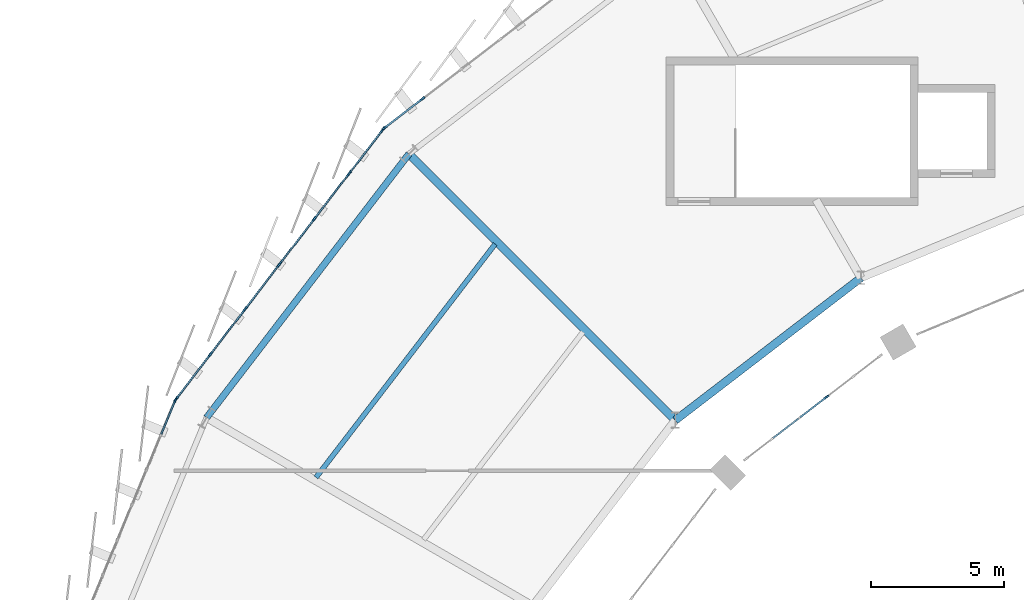
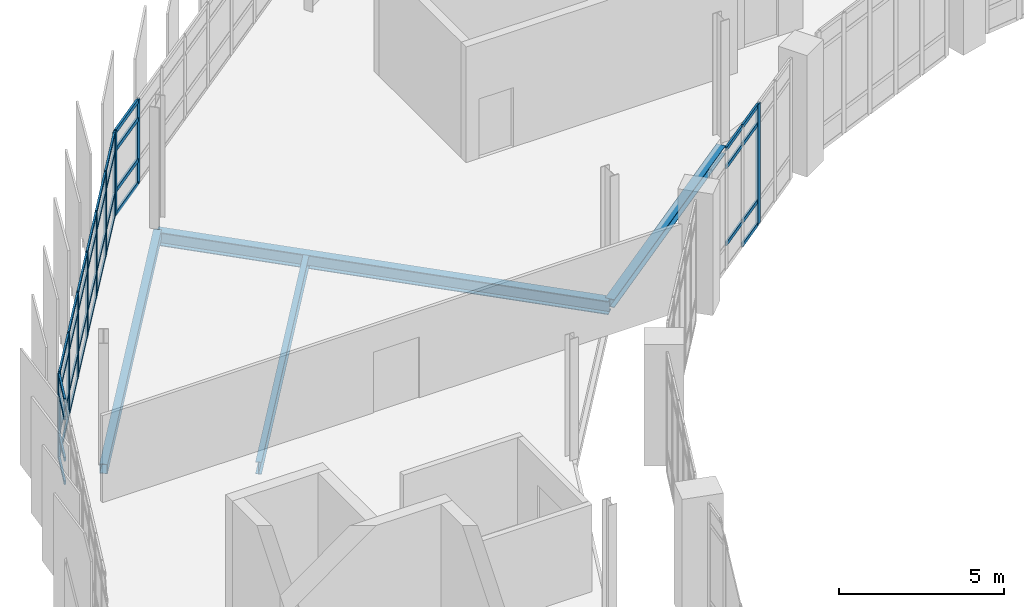
# One storey, part 32 of 67: 50 members, 4 beams, 4 elements without a shape of their own.
"""IFC4 building model written with IfcOpenShell, lengths in metres."""

from ifc_helpers import new_model, si_unit, direction, frame, origin, origin_2d, place, context, subcontext, project, spatial, rectangle, hollow_rectangle, i_section, extrude, material, layer, layer_set, material_profile, profile_set, type_object, element, aggregate, save


model = new_model("IFC4")

# Units and contexts
model_context = context("Model", 3, precision=1e-05, world=origin(), true_north=direction((0.0, 1.0)))
body_context = subcontext(model_context, "Body", "Model", "MODEL_VIEW")
ifc_project = project(units=[si_unit("LENGTHUNIT", "METRE"), si_unit("AREAUNIT", "SQUARE_METRE"), si_unit("VOLUMEUNIT", "CUBIC_METRE"), si_unit("PLANEANGLEUNIT", "RADIAN"), si_unit("MASSUNIT", "GRAM", prefix="KILO")], contexts=[model_context])

# Site, building, storey
site_placement = place(None, origin())
site = spatial("IfcSite", under=ifc_project, at=site_placement, CompositionType="ELEMENT")
building_placement = place(site_placement, origin())
building = spatial("IfcBuilding", under=site, at=building_placement, Name="Sohan Crest Arena", CompositionType="ELEMENT")
storey_placement = place(building_placement, frame((0.0, 0.0, 22.5)))
storey = spatial("IfcBuildingStorey", under=building, at=storey_placement, Name="L05", CompositionType="ELEMENT", Elevation=22.5)

# Curtain wall, member
ifc_material_1 = material(Name="Thermally broken anodised aluminium", Category="aluminium")
ifc_layer_1 = layer(ifc_material_1, 0.18994140625, Name="Thermally broken anodised aluminium")
ifc_layer_set_1 = layer_set([ifc_layer_1], Name="Thermally broken anodised aluminium")
curtain_wall_type_1 = type_object("IfcCurtainWallType", Name="ARC-CW05", PredefinedType="NOTDEFINED", material=ifc_layer_set_1)
curtain_wall_1_placement = place(storey_placement, origin())
curtain_wall_1 = element("IfcCurtainWall", 1, at=curtain_wall_1_placement, inside=storey, type_object=curtain_wall_type_1, Name="Unitised curtain wall CW-150", PredefinedType="NOTDEFINED")
ifc_material_profile_1 = material_profile(ifc_material_1, rectangle(XDim=0.06005859375, YDim=0.159912109375, at=origin_2d()), Name="ALU-MULL 60x160")
ifc_profile_set_1 = profile_set([ifc_material_profile_1], Name="Thermally broken anodised aluminium")
member_type_1 = type_object("IfcMemberType", Name="ARC-CW-ML01", PredefinedType="MULLION", material=ifc_profile_set_1)
member_1_placement = place(storey_placement, frame((55.25048828125, 102.647216796875, 0.0), z_axis=(0.0, 0.0, 1.0), x_axis=(0.923878704229, -0.382685432009, 0.0)))
member_1 = element("IfcMember", 2, at=member_1_placement, type_object=member_type_1, Name="CW-150 mullion 1", PredefinedType="MULLION", context=body_context, shape_type="SweptSolid", body=[
    extrude(rectangle(XDim=0.06005859375, YDim=0.159912109375, at=origin_2d()), origin(), (0.0, 0.0, 1.0), 3.1201171875),
])

# Curtain wall, members
ifc_layer_2 = layer(ifc_material_1, 0.219970703125, Name="Thermally broken anodised aluminium")
ifc_layer_set_2 = layer_set([ifc_layer_2], Name="Thermally broken anodised aluminium")
curtain_wall_type_2 = type_object("IfcCurtainWallType", Name="ARC-CW03", PredefinedType="NOTDEFINED", material=ifc_layer_set_2)
curtain_wall_2_placement = place(storey_placement, origin())
curtain_wall_2 = element("IfcCurtainWall", 3, at=curtain_wall_2_placement, inside=storey, type_object=curtain_wall_type_2, Name="Unitised curtain wall CW-148", PredefinedType="NOTDEFINED")
ifc_material_profile_2 = material_profile(ifc_material_1, rectangle(XDim=0.070068359375, YDim=0.199951171875, at=origin_2d()), Name="ALU-MULL 70x200")
ifc_profile_set_2 = profile_set([ifc_material_profile_2], Name="Thermally broken anodised aluminium")
member_type_2 = type_object("IfcMemberType", Name="ARC-CW-ML03", PredefinedType="MULLION", material=ifc_profile_set_2)
member_2_placement = place(storey_placement, frame((64.564208984375, 114.016357421875, 0.0), z_axis=(0.0, 0.0, 1.0), x_axis=(0.60871994181, -0.793385172815, 0.0)))
member_2 = element("IfcMember", 4, at=member_2_placement, type_object=member_type_2, Name="CW-148 mullion 7", PredefinedType="MULLION", context=body_context, shape_type="SweptSolid", body=[
    extrude(rectangle(XDim=0.070068359375, YDim=0.199951171875, at=origin_2d()), origin(), (0.0, 0.0, 1.0), 3.1201171875),
])
member_3_placement = place(storey_placement, frame((63.1318359375, 112.917236328125, 0.0), z_axis=(0.0, 0.0, 1.0), x_axis=(0.60871994181, -0.793385172815, 0.0)))
member_3 = element("IfcMember", 5, at=member_3_placement, type_object=member_type_2, Name="CW-148 mullion 8", PredefinedType="MULLION", context=body_context, shape_type="SweptSolid", body=[
    extrude(rectangle(XDim=0.070068359375, YDim=0.199951171875, at=origin_2d()), origin(), (0.0, 0.0, 1.0), 3.1201171875),
])

# Curtain wall, member
curtain_wall_3_placement = place(storey_placement, origin())
curtain_wall_3 = element("IfcCurtainWall", 6, at=curtain_wall_3_placement, inside=storey, type_object=curtain_wall_type_1, Name="Unitised curtain wall CW-168", PredefinedType="NOTDEFINED")
member_4_placement = place(storey_placement, frame((79.8017578125, 102.7763671875, 0.0), z_axis=(0.0, 0.0, 1.0), x_axis=(0.608939000248, -0.793217053508, 0.0)))
member_4 = element("IfcMember", 7, at=member_4_placement, type_object=member_type_2, Name="CW-168 mullion 3", PredefinedType="MULLION", context=body_context, shape_type="SweptSolid", body=[
    extrude(rectangle(XDim=0.070068359375, YDim=0.199951171875, at=origin_2d()), origin(), (0.0, 0.0, 1.0), 4.449951171875),
])

# Curtain wall, members
ifc_layer_3 = layer(ifc_material_1, 0.239990234375, Name="Thermally broken anodised aluminium")
ifc_layer_set_3 = layer_set([ifc_layer_3], Name="Thermally broken anodised aluminium")
curtain_wall_type_3 = type_object("IfcCurtainWallType", Name="ARC-CW04", PredefinedType="NOTDEFINED", material=ifc_layer_set_3)
curtain_wall_4_placement = place(storey_placement, origin())
curtain_wall_4 = element("IfcCurtainWall", 8, at=curtain_wall_4_placement, inside=storey, type_object=curtain_wall_type_3, Name="Unitised curtain wall CW-149", PredefinedType="NOTDEFINED")
ifc_material_profile_3 = material_profile(ifc_material_1, rectangle(XDim=0.074951171875, YDim=0.219970703125, at=origin_2d()), Name="ALU-MULL 75x220")
ifc_profile_set_3 = profile_set([ifc_material_profile_3], Name="Thermally broken anodised aluminium")
member_type_3 = type_object("IfcMemberType", Name="ARC-CW-ML04", PredefinedType="MULLION", material=ifc_profile_set_3)
member_5_placement = place(storey_placement, frame((63.0810546875, 112.8662109375, 0.0), z_axis=(0.0, 0.0, 1.0), x_axis=(0.793385172815, -0.60871994181, 0.0)))
member_5 = element("IfcMember", 9, at=member_5_placement, type_object=member_type_3, Name="CW-149 mullion 1", PredefinedType="MULLION", context=body_context, shape_type="SweptSolid", body=[
    extrude(rectangle(XDim=0.074951171875, YDim=0.219970703125, at=origin_2d()), origin(), (0.0, 0.0, 1.0), 3.1201171875),
])
member_6_placement = place(storey_placement, frame((61.797119140625, 111.1923828125, 0.0), z_axis=(0.0, 0.0, 1.0), x_axis=(0.793385172815, -0.60871994181, 0.0)))
member_6 = element("IfcMember", 10, at=member_6_placement, type_object=member_type_3, Name="CW-149 mullion 2", PredefinedType="MULLION", context=body_context, shape_type="SweptSolid", body=[
    extrude(rectangle(XDim=0.074951171875, YDim=0.219970703125, at=origin_2d()), origin(), (0.0, 0.0, 1.0), 3.1201171875),
])
member_7_placement = place(storey_placement, frame((60.489990234375, 109.489013671875, 0.0), z_axis=(0.0, 0.0, 1.0), x_axis=(0.793385172815, -0.60871994181, 0.0)))
member_7 = element("IfcMember", 11, at=member_7_placement, type_object=member_type_3, Name="CW-149 mullion 3", PredefinedType="MULLION", context=body_context, shape_type="SweptSolid", body=[
    extrude(rectangle(XDim=0.074951171875, YDim=0.219970703125, at=origin_2d()), origin(), (0.0, 0.0, 1.0), 3.1201171875),
])
member_8_placement = place(storey_placement, frame((59.18310546875, 107.785400390625, 0.0), z_axis=(0.0, 0.0, 1.0), x_axis=(0.793385172815, -0.60871994181, 0.0)))
member_8 = element("IfcMember", 12, at=member_8_placement, type_object=member_type_3, Name="CW-149 mullion 4", PredefinedType="MULLION", context=body_context, shape_type="SweptSolid", body=[
    extrude(rectangle(XDim=0.074951171875, YDim=0.219970703125, at=origin_2d()), origin(), (0.0, 0.0, 1.0), 3.1201171875),
])
member_9_placement = place(storey_placement, frame((57.8759765625, 106.08203125, 0.0), z_axis=(0.0, 0.0, 1.0), x_axis=(0.793385172815, -0.60871994181, 0.0)))
member_9 = element("IfcMember", 13, at=member_9_placement, type_object=member_type_3, Name="CW-149 mullion 5", PredefinedType="MULLION", context=body_context, shape_type="SweptSolid", body=[
    extrude(rectangle(XDim=0.074951171875, YDim=0.219970703125, at=origin_2d()), origin(), (0.0, 0.0, 1.0), 3.1201171875),
])
member_10_placement = place(storey_placement, frame((56.569091796875, 104.37841796875, 0.0), z_axis=(0.0, 0.0, 1.0), x_axis=(0.793385172815, -0.60871994181, 0.0)))
member_10 = element("IfcMember", 14, at=member_10_placement, type_object=member_type_3, Name="CW-149 mullion 6", PredefinedType="MULLION", context=body_context, shape_type="SweptSolid", body=[
    extrude(rectangle(XDim=0.074951171875, YDim=0.219970703125, at=origin_2d()), origin(), (0.0, 0.0, 1.0), 3.1201171875),
])
member_11_placement = place(storey_placement, frame((55.284912109375, 102.704833984375, 0.0), z_axis=(0.0, 0.0, 1.0), x_axis=(0.793385172815, -0.60871994181, 0.0)))
member_11 = element("IfcMember", 15, at=member_11_placement, type_object=member_type_3, Name="CW-149 mullion 7", PredefinedType="MULLION", context=body_context, shape_type="SweptSolid", body=[
    extrude(rectangle(XDim=0.074951171875, YDim=0.219970703125, at=origin_2d()), origin(), (0.0, 0.0, 1.0), 3.1201171875),
])
ifc_material_profile_4 = material_profile(ifc_material_1, rectangle(XDim=0.06005859375, YDim=0.1201171875, at=origin_2d()), Name="ALU-TRAN 60x120")
ifc_profile_set_4 = profile_set([ifc_material_profile_4], Name="Thermally broken anodised aluminium")
member_type_4 = type_object("IfcMemberType", Name="ARC-CW-TR01", PredefinedType="USERDEFINED", material=ifc_profile_set_4)
member_12_placement = place(storey_placement, frame((63.058349609375, 112.83642578125, 0.030029296875), z_axis=(-0.60871867817, -0.793386142334, 0.0), x_axis=(0.793386142334, -0.60871867817, 0.0)))
member_12 = element("IfcMember", 16, at=member_12_placement, type_object=member_type_4, Name="CW-149 transom 1.1", ObjectType="TRANSOM", PredefinedType="USERDEFINED", context=body_context, shape_type="SweptSolid", body=[
    extrude(rectangle(XDim=0.06005859375, YDim=0.1201171875, at=origin_2d()), origin(), (0.0, 0.0, 1.0), 2.03466796875),
])
member_13_placement = place(storey_placement, frame((63.058349609375, 112.83642578125, 0.89990234375), z_axis=(-0.60871867817, -0.793386142334, 0.0), x_axis=(0.793386142334, -0.60871867817, 0.0)))
member_13 = element("IfcMember", 17, at=member_13_placement, type_object=member_type_4, Name="CW-149 transom 1.2", ObjectType="TRANSOM", PredefinedType="USERDEFINED", context=body_context, shape_type="SweptSolid", body=[
    extrude(rectangle(XDim=0.06005859375, YDim=0.1201171875, at=origin_2d()), origin(), (0.0, 0.0, 1.0), 2.03466796875),
])
member_14_placement = place(storey_placement, frame((63.058349609375, 112.83642578125, 2.419921875), z_axis=(-0.60871867817, -0.793386142334, 0.0), x_axis=(0.793386142334, -0.60871867817, 0.0)))
member_14 = element("IfcMember", 18, at=member_14_placement, type_object=member_type_4, Name="CW-149 transom 1.3", ObjectType="TRANSOM", PredefinedType="USERDEFINED", context=body_context, shape_type="SweptSolid", body=[
    extrude(rectangle(XDim=0.06005859375, YDim=0.1201171875, at=origin_2d()), origin(), (0.0, 0.0, 1.0), 2.03466796875),
])
member_15_placement = place(storey_placement, frame((63.058349609375, 112.83642578125, 3.090087890625), z_axis=(-0.60871867817, -0.793386142334, 0.0), x_axis=(0.793386142334, -0.60871867817, 0.0)))
member_15 = element("IfcMember", 19, at=member_15_placement, type_object=member_type_4, Name="CW-149 transom 1.4", ObjectType="TRANSOM", PredefinedType="USERDEFINED", context=body_context, shape_type="SweptSolid", body=[
    extrude(rectangle(XDim=0.06005859375, YDim=0.1201171875, at=origin_2d()), origin(), (0.0, 0.0, 1.0), 2.03466796875),
])
member_16_placement = place(storey_placement, frame((61.774169921875, 111.162841796875, 0.030029296875), z_axis=(-0.608673922407, -0.793420478802, 0.0), x_axis=(0.793420478802, -0.608673922407, 0.0)))
member_16 = element("IfcMember", 20, at=member_16_placement, type_object=member_type_4, Name="CW-149 transom 2.1", ObjectType="TRANSOM", PredefinedType="USERDEFINED", context=body_context, shape_type="SweptSolid", body=[
    extrude(rectangle(XDim=0.06005859375, YDim=0.1201171875, at=origin_2d()), origin(), (0.0, 0.0, 1.0), 2.072021484375),
])
member_17_placement = place(storey_placement, frame((61.774169921875, 111.162841796875, 0.89990234375), z_axis=(-0.608673922407, -0.793420478802, 0.0), x_axis=(0.793420478802, -0.608673922407, 0.0)))
member_17 = element("IfcMember", 21, at=member_17_placement, type_object=member_type_4, Name="CW-149 transom 2.2", ObjectType="TRANSOM", PredefinedType="USERDEFINED", context=body_context, shape_type="SweptSolid", body=[
    extrude(rectangle(XDim=0.06005859375, YDim=0.1201171875, at=origin_2d()), origin(), (0.0, 0.0, 1.0), 2.072021484375),
])
member_18_placement = place(storey_placement, frame((61.774169921875, 111.162841796875, 2.419921875), z_axis=(-0.608673922407, -0.793420478802, 0.0), x_axis=(0.793420478802, -0.608673922407, 0.0)))
member_18 = element("IfcMember", 22, at=member_18_placement, type_object=member_type_4, Name="CW-149 transom 2.3", ObjectType="TRANSOM", PredefinedType="USERDEFINED", context=body_context, shape_type="SweptSolid", body=[
    extrude(rectangle(XDim=0.06005859375, YDim=0.1201171875, at=origin_2d()), origin(), (0.0, 0.0, 1.0), 2.072021484375),
])
member_19_placement = place(storey_placement, frame((61.774169921875, 111.162841796875, 3.090087890625), z_axis=(-0.608673922407, -0.793420478802, 0.0), x_axis=(0.793420478802, -0.608673922407, 0.0)))
member_19 = element("IfcMember", 23, at=member_19_placement, type_object=member_type_4, Name="CW-149 transom 2.4", ObjectType="TRANSOM", PredefinedType="USERDEFINED", context=body_context, shape_type="SweptSolid", body=[
    extrude(rectangle(XDim=0.06005859375, YDim=0.1201171875, at=origin_2d()), origin(), (0.0, 0.0, 1.0), 2.072021484375),
])
member_20_placement = place(storey_placement, frame((60.46728515625, 109.459228515625, 0.030029296875), z_axis=(-0.608748085936, -0.793363578613, 0.0), x_axis=(0.793363578613, -0.608748085936, 0.0)))
member_20 = element("IfcMember", 24, at=member_20_placement, type_object=member_type_4, Name="CW-149 transom 3.1", ObjectType="TRANSOM", PredefinedType="USERDEFINED", context=body_context, shape_type="SweptSolid", body=[
    extrude(rectangle(XDim=0.06005859375, YDim=0.1201171875, at=origin_2d()), origin(), (0.0, 0.0, 1.0), 2.072265625),
])
member_21_placement = place(storey_placement, frame((60.46728515625, 109.459228515625, 0.89990234375), z_axis=(-0.608748085936, -0.793363578613, 0.0), x_axis=(0.793363578613, -0.608748085936, 0.0)))
member_21 = element("IfcMember", 25, at=member_21_placement, type_object=member_type_4, Name="CW-149 transom 3.2", ObjectType="TRANSOM", PredefinedType="USERDEFINED", context=body_context, shape_type="SweptSolid", body=[
    extrude(rectangle(XDim=0.06005859375, YDim=0.1201171875, at=origin_2d()), origin(), (0.0, 0.0, 1.0), 2.072265625),
])
member_22_placement = place(storey_placement, frame((60.46728515625, 109.459228515625, 2.419921875), z_axis=(-0.608748085936, -0.793363578613, 0.0), x_axis=(0.793363578613, -0.608748085936, 0.0)))
member_22 = element("IfcMember", 26, at=member_22_placement, type_object=member_type_4, Name="CW-149 transom 3.3", ObjectType="TRANSOM", PredefinedType="USERDEFINED", context=body_context, shape_type="SweptSolid", body=[
    extrude(rectangle(XDim=0.06005859375, YDim=0.1201171875, at=origin_2d()), origin(), (0.0, 0.0, 1.0), 2.072265625),
])
member_23_placement = place(storey_placement, frame((60.46728515625, 109.459228515625, 3.090087890625), z_axis=(-0.608748085936, -0.793363578613, 0.0), x_axis=(0.793363578613, -0.608748085936, 0.0)))
member_23 = element("IfcMember", 27, at=member_23_placement, type_object=member_type_4, Name="CW-149 transom 3.4", ObjectType="TRANSOM", PredefinedType="USERDEFINED", context=body_context, shape_type="SweptSolid", body=[
    extrude(rectangle(XDim=0.06005859375, YDim=0.1201171875, at=origin_2d()), origin(), (0.0, 0.0, 1.0), 2.072265625),
])
member_24_placement = place(storey_placement, frame((59.16015625, 107.755859375, 0.030029296875), z_axis=(-0.608673922407, -0.793420478802, 0.0), x_axis=(0.793420478802, -0.608673922407, 0.0)))
member_24 = element("IfcMember", 28, at=member_24_placement, type_object=member_type_4, Name="CW-149 transom 4.1", ObjectType="TRANSOM", PredefinedType="USERDEFINED", context=body_context, shape_type="SweptSolid", body=[
    extrude(rectangle(XDim=0.06005859375, YDim=0.1201171875, at=origin_2d()), origin(), (0.0, 0.0, 1.0), 2.072021484375),
])
member_25_placement = place(storey_placement, frame((59.16015625, 107.755859375, 0.89990234375), z_axis=(-0.608673922407, -0.793420478802, 0.0), x_axis=(0.793420478802, -0.608673922407, 0.0)))
member_25 = element("IfcMember", 29, at=member_25_placement, type_object=member_type_4, Name="CW-149 transom 4.2", ObjectType="TRANSOM", PredefinedType="USERDEFINED", context=body_context, shape_type="SweptSolid", body=[
    extrude(rectangle(XDim=0.06005859375, YDim=0.1201171875, at=origin_2d()), origin(), (0.0, 0.0, 1.0), 2.072021484375),
])
member_26_placement = place(storey_placement, frame((59.16015625, 107.755859375, 2.419921875), z_axis=(-0.608673922407, -0.793420478802, 0.0), x_axis=(0.793420478802, -0.608673922407, 0.0)))
member_26 = element("IfcMember", 30, at=member_26_placement, type_object=member_type_4, Name="CW-149 transom 4.3", ObjectType="TRANSOM", PredefinedType="USERDEFINED", context=body_context, shape_type="SweptSolid", body=[
    extrude(rectangle(XDim=0.06005859375, YDim=0.1201171875, at=origin_2d()), origin(), (0.0, 0.0, 1.0), 2.072021484375),
])
member_27_placement = place(storey_placement, frame((59.16015625, 107.755859375, 3.090087890625), z_axis=(-0.608673922407, -0.793420478802, 0.0), x_axis=(0.793420478802, -0.608673922407, 0.0)))
member_27 = element("IfcMember", 31, at=member_27_placement, type_object=member_type_4, Name="CW-149 transom 4.4", ObjectType="TRANSOM", PredefinedType="USERDEFINED", context=body_context, shape_type="SweptSolid", body=[
    extrude(rectangle(XDim=0.06005859375, YDim=0.1201171875, at=origin_2d()), origin(), (0.0, 0.0, 1.0), 2.072021484375),
])
member_28_placement = place(storey_placement, frame((57.853271484375, 106.05224609375, 0.030029296875), z_axis=(-0.608748085936, -0.793363578613, 0.0), x_axis=(0.793363578613, -0.608748085936, 0.0)))
member_28 = element("IfcMember", 32, at=member_28_placement, type_object=member_type_4, Name="CW-149 transom 5.1", ObjectType="TRANSOM", PredefinedType="USERDEFINED", context=body_context, shape_type="SweptSolid", body=[
    extrude(rectangle(XDim=0.06005859375, YDim=0.1201171875, at=origin_2d()), origin(), (0.0, 0.0, 1.0), 2.072265625),
])
member_29_placement = place(storey_placement, frame((57.853271484375, 106.05224609375, 0.89990234375), z_axis=(-0.608748085936, -0.793363578613, 0.0), x_axis=(0.793363578613, -0.608748085936, 0.0)))
member_29 = element("IfcMember", 33, at=member_29_placement, type_object=member_type_4, Name="CW-149 transom 5.2", ObjectType="TRANSOM", PredefinedType="USERDEFINED", context=body_context, shape_type="SweptSolid", body=[
    extrude(rectangle(XDim=0.06005859375, YDim=0.1201171875, at=origin_2d()), origin(), (0.0, 0.0, 1.0), 2.072265625),
])
member_30_placement = place(storey_placement, frame((57.853271484375, 106.05224609375, 2.419921875), z_axis=(-0.608748085936, -0.793363578613, 0.0), x_axis=(0.793363578613, -0.608748085936, 0.0)))
member_30 = element("IfcMember", 34, at=member_30_placement, type_object=member_type_4, Name="CW-149 transom 5.3", ObjectType="TRANSOM", PredefinedType="USERDEFINED", context=body_context, shape_type="SweptSolid", body=[
    extrude(rectangle(XDim=0.06005859375, YDim=0.1201171875, at=origin_2d()), origin(), (0.0, 0.0, 1.0), 2.072265625),
])
member_31_placement = place(storey_placement, frame((57.853271484375, 106.05224609375, 3.090087890625), z_axis=(-0.608748085936, -0.793363578613, 0.0), x_axis=(0.793363578613, -0.608748085936, 0.0)))
member_31 = element("IfcMember", 35, at=member_31_placement, type_object=member_type_4, Name="CW-149 transom 5.4", ObjectType="TRANSOM", PredefinedType="USERDEFINED", context=body_context, shape_type="SweptSolid", body=[
    extrude(rectangle(XDim=0.06005859375, YDim=0.1201171875, at=origin_2d()), origin(), (0.0, 0.0, 1.0), 2.072265625),
])
member_32_placement = place(storey_placement, frame((56.546142578125, 104.3486328125, 0.030029296875), z_axis=(-0.608776632005, -0.793341674391, 0.0), x_axis=(0.793341674391, -0.608776632005, 0.0)))
member_32 = element("IfcMember", 36, at=member_32_placement, type_object=member_type_4, Name="CW-149 transom 6.1", ObjectType="TRANSOM", PredefinedType="USERDEFINED", context=body_context, shape_type="SweptSolid", body=[
    extrude(rectangle(XDim=0.06005859375, YDim=0.1201171875, at=origin_2d()), origin(), (0.0, 0.0, 1.0), 2.034423828125),
])
member_33_placement = place(storey_placement, frame((56.546142578125, 104.3486328125, 0.89990234375), z_axis=(-0.608776632005, -0.793341674391, 0.0), x_axis=(0.793341674391, -0.608776632005, 0.0)))
member_33 = element("IfcMember", 37, at=member_33_placement, type_object=member_type_4, Name="CW-149 transom 6.2", ObjectType="TRANSOM", PredefinedType="USERDEFINED", context=body_context, shape_type="SweptSolid", body=[
    extrude(rectangle(XDim=0.06005859375, YDim=0.1201171875, at=origin_2d()), origin(), (0.0, 0.0, 1.0), 2.034423828125),
])
member_34_placement = place(storey_placement, frame((56.546142578125, 104.3486328125, 2.419921875), z_axis=(-0.608776632005, -0.793341674391, 0.0), x_axis=(0.793341674391, -0.608776632005, 0.0)))
member_34 = element("IfcMember", 38, at=member_34_placement, type_object=member_type_4, Name="CW-149 transom 6.3", ObjectType="TRANSOM", PredefinedType="USERDEFINED", context=body_context, shape_type="SweptSolid", body=[
    extrude(rectangle(XDim=0.06005859375, YDim=0.1201171875, at=origin_2d()), origin(), (0.0, 0.0, 1.0), 2.034423828125),
])
member_35_placement = place(storey_placement, frame((56.546142578125, 104.3486328125, 3.090087890625), z_axis=(-0.608776632005, -0.793341674391, 0.0), x_axis=(0.793341674391, -0.608776632005, 0.0)))
member_35 = element("IfcMember", 39, at=member_35_placement, type_object=member_type_4, Name="CW-149 transom 6.4", ObjectType="TRANSOM", PredefinedType="USERDEFINED", context=body_context, shape_type="SweptSolid", body=[
    extrude(rectangle(XDim=0.06005859375, YDim=0.1201171875, at=origin_2d()), origin(), (0.0, 0.0, 1.0), 2.034423828125),
])
aggregate(curtain_wall_4, [member_5, member_6, member_7, member_8, member_9, member_10, member_11, member_12, member_13, member_14, member_15, member_16, member_17, member_18, member_19, member_20, member_21, member_22, member_23, member_24, member_25, member_26, member_27, member_28, member_29, member_30, member_31, member_32, member_33, member_34, member_35])

# Member
ifc_material_profile_5 = material_profile(ifc_material_1, rectangle(XDim=0.06494140625, YDim=0.139892578125, at=origin_2d()), Name="ALU-TRAN 65x140")
ifc_profile_set_5 = profile_set([ifc_material_profile_5], Name="Thermally broken anodised aluminium")
member_type_5 = type_object("IfcMemberType", Name="ARC-CW-TR02", PredefinedType="USERDEFINED", material=ifc_profile_set_5)
member_36_placement = place(storey_placement, frame((55.239013671875, 102.61962890625, 0.032470703125), z_axis=(-0.382753642759, -0.923850447288, 0.0), x_axis=(0.923850447288, -0.382753642759, 0.0)))
member_36 = element("IfcMember", 40, at=member_36_placement, type_object=member_type_5, Name="CW-150 transom 1.1", ObjectType="TRANSOM", PredefinedType="USERDEFINED", context=body_context, shape_type="SweptSolid", body=[
    extrude(rectangle(XDim=0.06494140625, YDim=0.139892578125, at=origin_2d()), origin(), (0.0, 0.0, 1.0), 1.34130859375),
])

member_37_placement = place(storey_placement, frame((55.239013671875, 102.61962890625, 0.89990234375), z_axis=(-0.382753642759, -0.923850447288, 0.0), x_axis=(0.923850447288, -0.382753642759, 0.0)))
member_37 = element("IfcMember", 41, at=member_37_placement, type_object=member_type_5, Name="CW-150 transom 1.2", ObjectType="TRANSOM", PredefinedType="USERDEFINED", context=body_context, shape_type="SweptSolid", body=[
    extrude(rectangle(XDim=0.06494140625, YDim=0.139892578125, at=origin_2d()), origin(), (0.0, 0.0, 1.0), 1.34130859375),
])

member_38_placement = place(storey_placement, frame((55.239013671875, 102.61962890625, 2.419921875), z_axis=(-0.382753642759, -0.923850447288, 0.0), x_axis=(0.923850447288, -0.382753642759, 0.0)))
member_38 = element("IfcMember", 42, at=member_38_placement, type_object=member_type_5, Name="CW-150 transom 1.3", ObjectType="TRANSOM", PredefinedType="USERDEFINED", context=body_context, shape_type="SweptSolid", body=[
    extrude(rectangle(XDim=0.06494140625, YDim=0.139892578125, at=origin_2d()), origin(), (0.0, 0.0, 1.0), 1.34130859375),
])

member_39_placement = place(storey_placement, frame((55.239013671875, 102.61962890625, 3.08740234375), z_axis=(-0.382753642759, -0.923850447288, 0.0), x_axis=(0.923850447288, -0.382753642759, 0.0)))
member_39 = element("IfcMember", 43, at=member_39_placement, type_object=member_type_5, Name="CW-150 transom 1.4", ObjectType="TRANSOM", PredefinedType="USERDEFINED", context=body_context, shape_type="SweptSolid", body=[
    extrude(rectangle(XDim=0.06494140625, YDim=0.139892578125, at=origin_2d()), origin(), (0.0, 0.0, 1.0), 1.34130859375),
])

aggregate(curtain_wall_1, [member_1, member_36, member_37, member_38, member_39])

member_40_placement = place(storey_placement, frame((79.77392578125, 102.755126953125, 0.032470703125), z_axis=(-0.793203705004, -0.608956387903, 0.0), x_axis=(0.608956387903, -0.793203705004, 0.0)))
member_40 = element("IfcMember", 44, at=member_40_placement, type_object=member_type_5, Name="CW-168 transom 3.1", ObjectType="TRANSOM", PredefinedType="USERDEFINED", context=body_context, shape_type="SweptSolid", body=[
    extrude(rectangle(XDim=0.06494140625, YDim=0.139892578125, at=origin_2d()), origin(), (0.0, 0.0, 1.0), 1.220458984375),
])

member_41_placement = place(storey_placement, frame((79.77392578125, 102.755126953125, 0.89990234375), z_axis=(-0.793203705004, -0.608956387903, 0.0), x_axis=(0.608956387903, -0.793203705004, 0.0)))
member_41 = element("IfcMember", 45, at=member_41_placement, type_object=member_type_5, Name="CW-168 transom 3.2", ObjectType="TRANSOM", PredefinedType="USERDEFINED", context=body_context, shape_type="SweptSolid", body=[
    extrude(rectangle(XDim=0.06494140625, YDim=0.139892578125, at=origin_2d()), origin(), (0.0, 0.0, 1.0), 1.220458984375),
])

member_42_placement = place(storey_placement, frame((79.77392578125, 102.755126953125, 3.75), z_axis=(-0.793203705004, -0.608956387903, 0.0), x_axis=(0.608956387903, -0.793203705004, 0.0)))
member_42 = element("IfcMember", 46, at=member_42_placement, type_object=member_type_5, Name="CW-168 transom 3.3", ObjectType="TRANSOM", PredefinedType="USERDEFINED", context=body_context, shape_type="SweptSolid", body=[
    extrude(rectangle(XDim=0.06494140625, YDim=0.139892578125, at=origin_2d()), origin(), (0.0, 0.0, 1.0), 1.220458984375),
])

member_43_placement = place(storey_placement, frame((79.77392578125, 102.755126953125, 4.41748046875), z_axis=(-0.793203705004, -0.608956387903, 0.0), x_axis=(0.608956387903, -0.793203705004, 0.0)))
member_43 = element("IfcMember", 47, at=member_43_placement, type_object=member_type_5, Name="CW-168 transom 3.4", ObjectType="TRANSOM", PredefinedType="USERDEFINED", context=body_context, shape_type="SweptSolid", body=[
    extrude(rectangle(XDim=0.06494140625, YDim=0.139892578125, at=origin_2d()), origin(), (0.0, 0.0, 1.0), 1.220458984375),
])

member_44_placement = place(storey_placement, frame((78.75048828125, 101.96923828125, 0.89990234375), z_axis=(-0.793203705004, -0.608956387903, 0.0), x_axis=(0.608956387903, -0.793203705004, 0.0)))
member_44 = element("IfcMember", 48, at=member_44_placement, type_object=member_type_5, Name="CW-168 transom 4.2", ObjectType="TRANSOM", PredefinedType="USERDEFINED", context=body_context, shape_type="SweptSolid", body=[
    extrude(rectangle(XDim=0.06494140625, YDim=0.139892578125, at=origin_2d()), origin(), (0.0, 0.0, 1.0), 1.220458984375),
])

member_45_placement = place(storey_placement, frame((78.75048828125, 101.96923828125, 3.75), z_axis=(-0.793203705004, -0.608956387903, 0.0), x_axis=(0.608956387903, -0.793203705004, 0.0)))
member_45 = element("IfcMember", 49, at=member_45_placement, type_object=member_type_5, Name="CW-168 transom 4.3", ObjectType="TRANSOM", PredefinedType="USERDEFINED", context=body_context, shape_type="SweptSolid", body=[
    extrude(rectangle(XDim=0.06494140625, YDim=0.139892578125, at=origin_2d()), origin(), (0.0, 0.0, 1.0), 1.220458984375),
])

member_46_placement = place(storey_placement, frame((78.75048828125, 101.96923828125, 4.41748046875), z_axis=(-0.793203705004, -0.608956387903, 0.0), x_axis=(0.608956387903, -0.793203705004, 0.0)))
member_46 = element("IfcMember", 50, at=member_46_placement, type_object=member_type_5, Name="CW-168 transom 4.4", ObjectType="TRANSOM", PredefinedType="USERDEFINED", context=body_context, shape_type="SweptSolid", body=[
    extrude(rectangle(XDim=0.06494140625, YDim=0.139892578125, at=origin_2d()), origin(), (0.0, 0.0, 1.0), 1.220458984375),
])

aggregate(curtain_wall_3, [member_4, member_40, member_41, member_42, member_43, member_44, member_45, member_46])

ifc_material_profile_6 = material_profile(ifc_material_1, rectangle(XDim=0.070068359375, YDim=0.14990234375, at=origin_2d()), Name="ALU-TRAN 70x150")
ifc_profile_set_6 = profile_set([ifc_material_profile_6], Name="Thermally broken anodised aluminium")
member_type_6 = type_object("IfcMemberType", Name="ARC-CW-TR03", PredefinedType="USERDEFINED", material=ifc_profile_set_6)
member_47_placement = place(storey_placement, frame((64.536376953125, 113.994873046875, 0.034912109375), z_axis=(-0.793470479342, -0.608608740006, 0.0), x_axis=(0.608608740006, -0.793470479342, 0.0)))
member_47 = element("IfcMember", 51, at=member_47_placement, type_object=member_type_6, Name="CW-148 transom 7.1", ObjectType="TRANSOM", PredefinedType="USERDEFINED", context=body_context, shape_type="SweptSolid", body=[
    extrude(rectangle(XDim=0.070068359375, YDim=0.14990234375, at=origin_2d()), origin(), (0.0, 0.0, 1.0), 1.7353515625),
])

member_48_placement = place(storey_placement, frame((64.536376953125, 113.994873046875, 0.89990234375), z_axis=(-0.793470479342, -0.608608740006, 0.0), x_axis=(0.608608740006, -0.793470479342, 0.0)))
member_48 = element("IfcMember", 52, at=member_48_placement, type_object=member_type_6, Name="CW-148 transom 7.2", ObjectType="TRANSOM", PredefinedType="USERDEFINED", context=body_context, shape_type="SweptSolid", body=[
    extrude(rectangle(XDim=0.070068359375, YDim=0.14990234375, at=origin_2d()), origin(), (0.0, 0.0, 1.0), 1.7353515625),
])

member_49_placement = place(storey_placement, frame((64.536376953125, 113.994873046875, 2.419921875), z_axis=(-0.793470479342, -0.608608740006, 0.0), x_axis=(0.608608740006, -0.793470479342, 0.0)))
member_49 = element("IfcMember", 53, at=member_49_placement, type_object=member_type_6, Name="CW-148 transom 7.3", ObjectType="TRANSOM", PredefinedType="USERDEFINED", context=body_context, shape_type="SweptSolid", body=[
    extrude(rectangle(XDim=0.070068359375, YDim=0.14990234375, at=origin_2d()), origin(), (0.0, 0.0, 1.0), 1.7353515625),
])

member_50_placement = place(storey_placement, frame((64.536376953125, 113.994873046875, 3.0849609375), z_axis=(-0.793470479342, -0.608608740006, 0.0), x_axis=(0.608608740006, -0.793470479342, 0.0)))
member_50 = element("IfcMember", 54, at=member_50_placement, type_object=member_type_6, Name="CW-148 transom 7.4", ObjectType="TRANSOM", PredefinedType="USERDEFINED", context=body_context, shape_type="SweptSolid", body=[
    extrude(rectangle(XDim=0.070068359375, YDim=0.14990234375, at=origin_2d()), origin(), (0.0, 0.0, 1.0), 1.7353515625),
])

aggregate(curtain_wall_2, [member_2, member_3, member_47, member_48, member_49, member_50])

# Beams
ifc_material_2 = material(Name="Steel S355", Category="steel")
ifc_material_profile_7 = material_profile(ifc_material_2, i_section(OverallWidth=0.18994140625, OverallDepth=0.449951171875, WebThickness=0.009521484375, FlangeThickness=0.0146484375, at=origin_2d()), Name="IPE 450")
ifc_profile_set_7 = profile_set([ifc_material_profile_7], Name="Steel S355")
beam_type_1 = type_object("IfcBeamType", Name="STR-BM-B04", PredefinedType="JOIST", material=ifc_profile_set_7)
beam_1_placement = place(storey_placement, frame((67.305908203125, 108.5400390625, -0.47509765625), z_axis=(-0.608788813613, -0.793332326594, 0.0), x_axis=(0.793332326594, -0.608788813613, 0.0)))
element("IfcBeam", 55, at=beam_1_placement, inside=storey, type_object=beam_type_1, Name="Structural beam J-L05-1724", PredefinedType="JOIST", context=body_context, shape_type="SweptSolid", body=[
    extrude(i_section(OverallWidth=0.18994140625, OverallDepth=0.449951171875, WebThickness=0.009521484375, FlangeThickness=0.0146484375, at=origin_2d()), origin(), (0.0, 0.0, 1.0), 11.087646484375),
])
ifc_material_profile_8 = material_profile(ifc_material_2, i_section(OverallWidth=0.300048828125, OverallDepth=0.300048828125, WebThickness=0.010986328125, FlangeThickness=0.01904296875, at=origin_2d()), Name="HEB 300")
ifc_profile_set_8 = profile_set([ifc_material_profile_8], Name="Steel S355")
beam_type_2 = type_object("IfcBeamType", Name="STR-BM-B12", PredefinedType="BEAM", material=ifc_profile_set_8)
beam_2_placement = place(storey_placement, frame((81.10009765625, 107.27197265625, -0.39990234375), z_axis=(-0.793310569192, -0.608817165336, 0.0), x_axis=(0.608817165336, -0.793310569192, 0.0)))
element("IfcBeam", 56, at=beam_2_placement, inside=storey, type_object=beam_type_2, Name="Structural beam G-L05-1718", PredefinedType="BEAM", context=body_context, shape_type="SweptSolid", body=[
    extrude(i_section(OverallWidth=0.300048828125, OverallDepth=0.300048828125, WebThickness=0.010986328125, FlangeThickness=0.01904296875, at=origin_2d()), origin(), (0.0, 0.0, 1.0), 8.82373046875),
])
ifc_material_profile_9 = material_profile(ifc_material_2, i_section(OverallWidth=0.300048828125, OverallDepth=0.5, WebThickness=0.014404296875, FlangeThickness=0.028076171875, at=origin_2d()), Name="HEB 500")
ifc_profile_set_9 = profile_set([ifc_material_profile_9], Name="Steel S355")
beam_type_3 = type_object("IfcBeamType", Name="STR-BM-B14", PredefinedType="BEAM", material=ifc_profile_set_9)
beam_3_placement = place(storey_placement, frame((74.10009765625, 101.89990234375, -0.5), z_axis=(-0.707106781187, 0.707106781187, 0.0), x_axis=(-0.707106781187, -0.707106781187, 0.0)))
element("IfcBeam", 57, at=beam_3_placement, inside=storey, type_object=beam_type_3, Name="Structural beam G-L05-1720", PredefinedType="BEAM", context=body_context, shape_type="SweptSolid", body=[
    extrude(i_section(OverallWidth=0.300048828125, OverallDepth=0.5, WebThickness=0.014404296875, FlangeThickness=0.028076171875, at=origin_2d()), origin(), (0.0, 0.0, 1.0), 14.2001953125),
])
ifc_material_profile_10 = material_profile(ifc_material_2, hollow_rectangle(XDim=0.25, YDim=0.35009765625, WallThickness=0.012451171875, at=origin_2d()), Name="RHS 350x250x12.5")
ifc_profile_set_10 = profile_set([ifc_material_profile_10], Name="Steel S355")
beam_type_4 = type_object("IfcBeamType", Name="STR-BM-SP04", PredefinedType="SPANDREL", material=ifc_profile_set_10)
beam_4_placement = place(storey_placement, frame((64.05908203125, 111.94091796875, -0.425048828125), z_axis=(-0.608773443368, -0.793344121205, 0.0), x_axis=(0.793344121205, -0.608773443368, 0.0)))
element("IfcBeam", 58, at=beam_4_placement, inside=storey, type_object=beam_type_4, Name="Structural beam SP-L05-1722", PredefinedType="SPANDREL", context=body_context, shape_type="SweptSolid", body=[
    extrude(hollow_rectangle(XDim=0.25, YDim=0.35009765625, WallThickness=0.012451171875, at=origin_2d()), origin(), (0.0, 0.0, 1.0), 12.530517578125),
])

save(model, "model.ifc")
